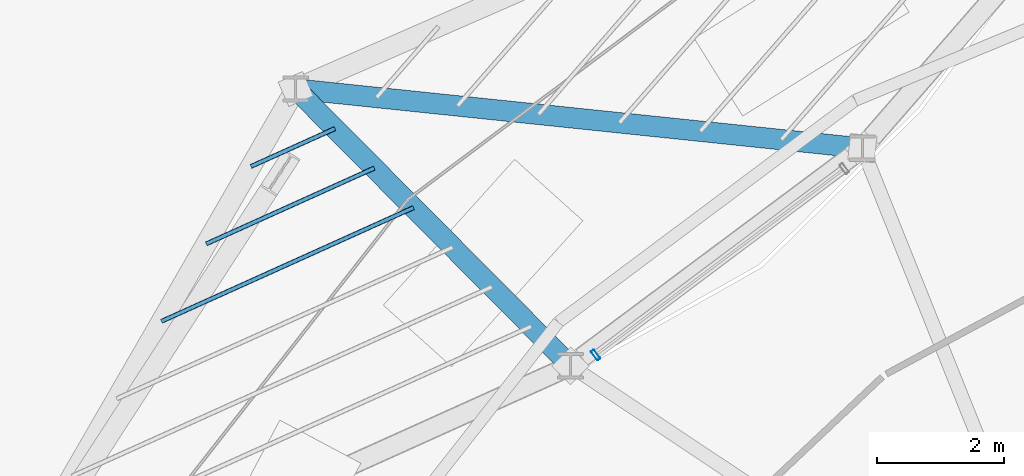
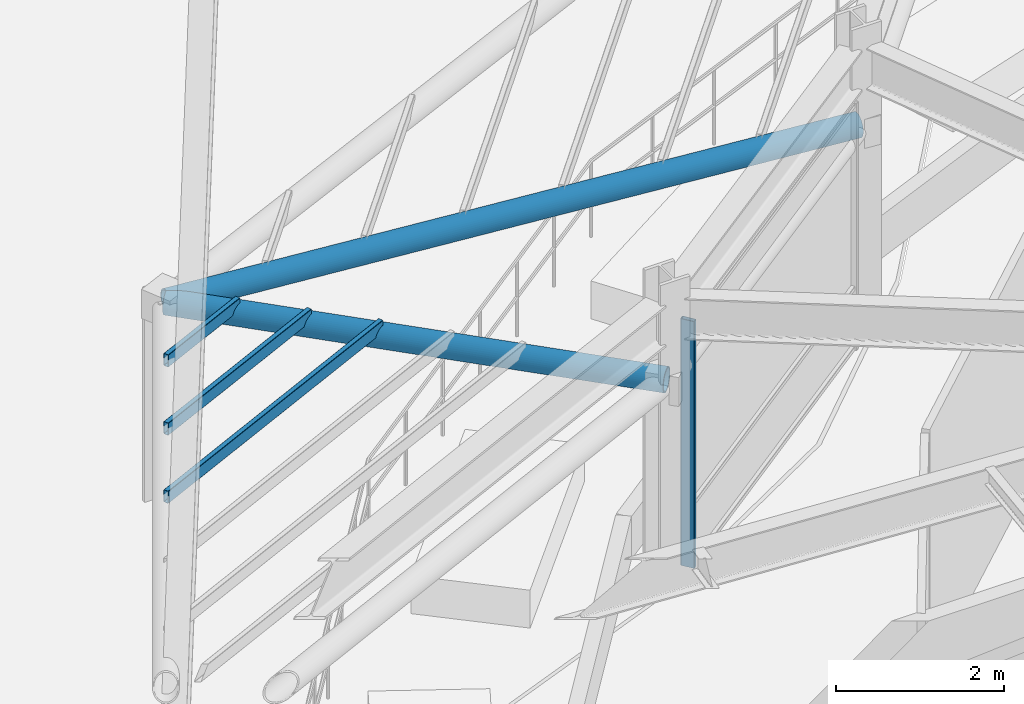
# One storey, part 22 of 40: 6 members, 1 element without a shape of its own.
"""IFC4 building model written with IfcOpenShell, lengths in metres."""

from ifc_helpers import new_model, si_unit, direction, frame, origin, origin_2d, place, context, subcontext, project, spatial, hollow_rectangle, hollow_circle, extrude, material, layer, layer_set, material_profile, profile_set, type_object, element, aggregate, save


model = new_model("IFC4")

# Units and contexts
model_context = context("Model", 3, precision=1e-05, world=origin(), true_north=direction((0.0, 1.0)))
body_context = subcontext(model_context, "Body", "Model", "MODEL_VIEW")
ifc_project = project(units=[si_unit("LENGTHUNIT", "METRE"), si_unit("AREAUNIT", "SQUARE_METRE"), si_unit("VOLUMEUNIT", "CUBIC_METRE"), si_unit("PLANEANGLEUNIT", "RADIAN"), si_unit("MASSUNIT", "GRAM", prefix="KILO")], contexts=[model_context])

# Site, building, storey
site_placement = place(None, origin())
site = spatial("IfcSite", under=ifc_project, at=site_placement, CompositionType="ELEMENT")
building_placement = place(site_placement, origin())
building = spatial("IfcBuilding", under=site, at=building_placement, Name="Kelanora Arch Commons", CompositionType="ELEMENT")
storey_placement = place(building_placement, origin())
storey = spatial("IfcBuildingStorey", under=building, at=storey_placement, Name="L00", CompositionType="ELEMENT", Elevation=0.0)

# Curtain wall, member
ifc_material_1 = material(Name="Terracotta ceramic-fritted low-E glass and aluminium", Category="masonry")
ifc_layer = layer(ifc_material_1, 0.2099609375)
ifc_layer_set = layer_set([ifc_layer], Name="Terracotta ceramic-fritted low-E glass and aluminium")
curtain_wall_type = type_object("IfcCurtainWallType", Name="CW-SYS-04", PredefinedType="NOTDEFINED", material=ifc_layer_set)
curtain_wall_placement = place(storey_placement, origin())
curtain_wall = element("IfcCurtainWall", 1, at=curtain_wall_placement, inside=storey, type_object=curtain_wall_type, Name="Unitised Curtain Wall L00-B06", PredefinedType="NOTDEFINED")
ifc_material_2 = material(Name="Powder-coated aluminium terracotta", Category="masonry")
ifc_material_profile_1 = material_profile(ifc_material_2, hollow_rectangle(XDim=0.179931640625, YDim=0.06005859375, WallThickness=0.0048828125, InnerFilletRadius=0.0048828125, OuterFilletRadius=0.010009765625, at=origin_2d()), Name="CWM180x60")
ifc_profile_set_1 = profile_set([ifc_material_profile_1], Name="Powder-coated aluminium terracotta")
member_type_1 = type_object("IfcMemberType", Name="CWM-HVY", PredefinedType="MULLION", material=ifc_profile_set_1)
member_1_placement = place(storey_placement, frame((58.239990234375, 70.597900390625, 0.0), z_axis=(0.0, 0.0, 1.0), x_axis=(0.599587813185, -0.80030897426, 0.0)))
member_1 = element("IfcMember", 2, at=member_1_placement, type_object=member_type_1, Name="CW-04 mullion 2", PredefinedType="MULLION", context=body_context, shape_type="SweptSolid", body=[
    extrude(hollow_rectangle(XDim=0.179931640625, YDim=0.06005859375, WallThickness=0.0048828125, InnerFilletRadius=0.0048828125, OuterFilletRadius=0.010009765625, at=origin_2d()), origin(), (0.0, 0.0, 1.0), 3.580078125),
])
aggregate(curtain_wall, [member_1])

# Members
ifc_material_3 = material(Name="Steel S355", Category="steel")
ifc_material_profile_2 = material_profile(ifc_material_3, hollow_circle(Radius=0.161865234375, WallThickness=0.01611328125, at=origin_2d()), Name="CHS323.9x16")
ifc_profile_set_2 = profile_set([ifc_material_profile_2], Name="Steel S355")
member_type_2 = type_object("IfcMemberType", Name="MEM-MKT-CHORD", PredefinedType="CHORD", material=ifc_profile_set_2)
member_2_placement = place(storey_placement, frame((62.454345703125, 73.866455078125, 2.93994140625), z_axis=(-0.994608682068, 0.103699419261, 0.0), x_axis=(-0.103699419261, -0.994608682068, 0.0)))
element("IfcMember", 3, at=member_2_placement, inside=storey, type_object=member_type_2, Name="Planted Courtyard Pergola Chord NW-R1", PredefinedType="CHORD", context=body_context, shape_type="SweptSolid", body=[
    extrude(hollow_circle(Radius=0.161865234375, WallThickness=0.01611328125, at=origin_2d()), origin(), (0.0, 0.0, 1.0), 9.0029296875),
])
member_3_placement = place(storey_placement, frame((57.843505859375, 70.426025390625, 2.93994140625), z_axis=(-0.704627084886, 0.709577811973, 0.0), x_axis=(-0.709577811973, -0.704627084886, 0.0)))
element("IfcMember", 4, at=member_3_placement, inside=storey, type_object=member_type_2, Name="Planted Courtyard Pergola Chord NW-R2", PredefinedType="CHORD", context=body_context, shape_type="SweptSolid", body=[
    extrude(hollow_circle(Radius=0.161865234375, WallThickness=0.01611328125, at=origin_2d()), origin(), (0.0, 0.0, 1.0), 6.164306640625),
])
ifc_material_profile_3 = material_profile(ifc_material_3, hollow_rectangle(XDim=0.070068359375, YDim=0.179931640625, WallThickness=0.0048828125, InnerFilletRadius=0.0048828125, OuterFilletRadius=0.010009765625, at=origin_2d()), Name="RHS180x70x5")
ifc_profile_set_3 = profile_set([ifc_material_profile_3], Name="Steel S355")
member_type_3 = type_object("IfcMemberType", Name="MEM-MKT-PURLIN", PredefinedType="PURLIN", material=ifc_profile_set_3)
member_4_placement = place(storey_placement, frame((51.3798828125, 71.129638671875, 3.080078125), z_axis=(0.911566630575, 0.411152378105, 0.0), x_axis=(-0.411152378105, 0.911566630575, 0.0)))
element("IfcMember", 5, at=member_4_placement, inside=storey, type_object=member_type_3, Name="Courtyard Garden Trellis Blade NW-B4", PredefinedType="PURLIN", context=body_context, shape_type="SweptSolid", body=[
    extrude(hollow_rectangle(XDim=0.070068359375, YDim=0.179931640625, WallThickness=0.0048828125, InnerFilletRadius=0.0048828125, OuterFilletRadius=0.010009765625, at=origin_2d()), origin(), (0.0, 0.0, 1.0), 4.367919921875),
])
member_5_placement = place(storey_placement, frame((52.086669921875, 72.35302734375, 3.080078125), z_axis=(0.91155718127, 0.411173327534, 0.0), x_axis=(-0.411173327534, 0.91155718127, 0.0)))
element("IfcMember", 6, at=member_5_placement, inside=storey, type_object=member_type_3, Name="Courtyard Garden Trellis Blade NW-B5", PredefinedType="PURLIN", context=body_context, shape_type="SweptSolid", body=[
    extrude(hollow_rectangle(XDim=0.070068359375, YDim=0.179931640625, WallThickness=0.0048828125, InnerFilletRadius=0.0048828125, OuterFilletRadius=0.010009765625, at=origin_2d()), origin(), (0.0, 0.0, 1.0), 2.911865234375),
])
member_6_placement = place(storey_placement, frame((52.793212890625, 73.576416015625, 3.080078125), z_axis=(0.911522684633, 0.411249796838, 0.0), x_axis=(-0.411249796838, 0.911522684633, 0.0)))
element("IfcMember", 7, at=member_6_placement, inside=storey, type_object=member_type_3, Name="Courtyard Garden Trellis Blade NW-B6", PredefinedType="PURLIN", context=body_context, shape_type="SweptSolid", body=[
    extrude(hollow_rectangle(XDim=0.070068359375, YDim=0.179931640625, WallThickness=0.0048828125, InnerFilletRadius=0.0048828125, OuterFilletRadius=0.010009765625, at=origin_2d()), origin(), (0.0, 0.0, 1.0), 1.456298828125),
])

save(model, "model.ifc")
